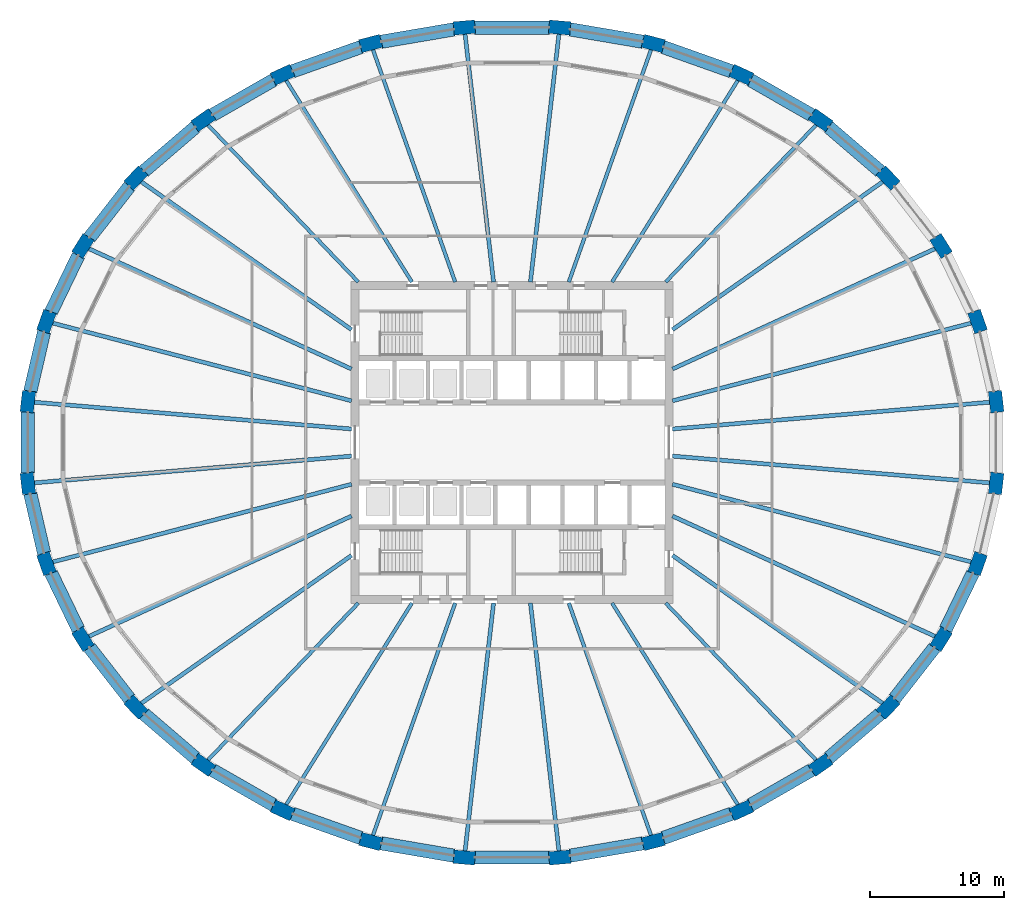
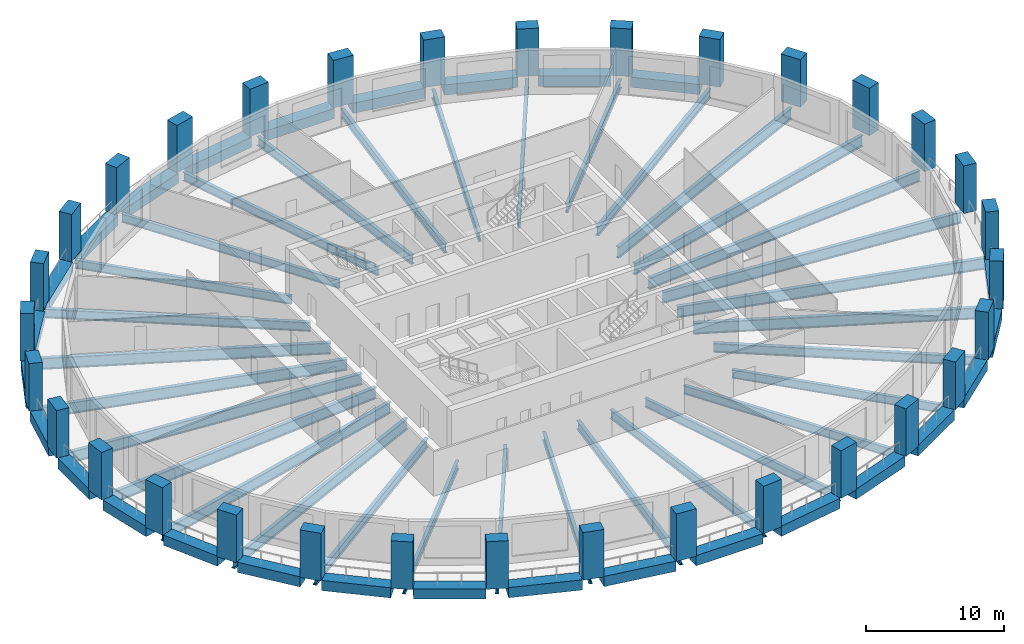
# One storey, part 1 of 10: 59 beams, 32 columns.
"""IFC4 building model written with IfcOpenShell, lengths in metres."""

from ifc_helpers import new_model, si_unit, direction, frame, origin, origin_2d, place, context, subcontext, project, spatial, rectangle, i_section, extrude, material, material_profile, profile_set, type_object, element, save


model = new_model("IFC4")

# Units and contexts
model_context = context("Model", 3, precision=1e-05, world=origin(), true_north=direction((0.0, 1.0)))
body_context = subcontext(model_context, "Body", "Model", "MODEL_VIEW")
ifc_project = project(units=[si_unit("LENGTHUNIT", "METRE"), si_unit("AREAUNIT", "SQUARE_METRE"), si_unit("VOLUMEUNIT", "CUBIC_METRE"), si_unit("PLANEANGLEUNIT", "RADIAN"), si_unit("MASSUNIT", "GRAM", prefix="KILO")], contexts=[model_context])

# Site, building, storey
site_placement = place(None, origin())
site = spatial("IfcSite", under=ifc_project, at=site_placement, CompositionType="ELEMENT")
building_placement = place(site_placement, origin())
building = spatial("IfcBuilding", under=site, at=building_placement, Name="Halqa Exchange Tower", CompositionType="ELEMENT")
storey_placement = place(building_placement, frame((0.0, 0.0, 86.5)))
storey = spatial("IfcBuildingStorey", under=building, at=storey_placement, Name="L19", CompositionType="ELEMENT", Elevation=86.5)

# Columns
ifc_material_1 = material(Name="Concrete C70/85", Category="concrete")
ifc_material_profile_1 = material_profile(ifc_material_1, rectangle(XDim=1.60009765625, YDim=1.0, at=origin_2d()), Name="1600 x 1000")
ifc_profile_set_1 = profile_set([ifc_material_profile_1], Name="Concrete C70/85")
column_type = type_object("IfcColumnType", Name="RC ring column 1600 x 1000 C70/85", PredefinedType="COLUMN", material=ifc_profile_set_1)
for number, where, z_axis, x_axis, name in (
    (1, (36.11474609375, 3.048828125, 0.0), (0.0, 0.0, 1.0), (-0.114156921978, 0.993462730637, 0.0), "Ring column 1"),
    (2, (34.726806640625, 9.029296875, 0.0), (0.0, 0.0, 1.0), (-0.333630814899, 0.942703813162, 0.0), "Ring column 2"),
    (3, (32.00439453125, 14.662841796875, 0.0), (0.0, 0.0, 1.0), (-0.529140496257, 0.848534227489, 0.0), "Ring column 3"),
    (4, (28.05224609375, 19.73291015625, 0.0), (0.0, 0.0, 1.0), (-0.691576091297, 0.722303613411, 0.0), "Ring column 4"),
    (5, (23.021728515625, 24.044677734375, 0.0), (0.0, 0.0, 1.0), (-0.817908788019, 0.57534790734, 0.0), "Ring column 5"),
    (6, (17.106689453125, 27.432373046875, 0.0), (0.0, 0.0, 1.0), (-0.909126368869, 0.416520402174, 0.0), "Ring column 6"),
    (7, (10.5341796875, 29.765869140625, 0.0), (0.0, 0.0, 1.0), (-0.967819942774, 0.251643713153, 0.0), "Ring column 7"),
    (8, (3.556884765625, 30.95556640625, 0.0), (0.0, 0.0, 1.0), (-0.996455518985, 0.084121333105, 0.0), "Ring column 8"),
    (9, (-3.556884765625, 30.95556640625, 0.0), (0.0, 0.0, 1.0), (-0.996455518985, -0.084121333105, 0.0), "Ring column 9"),
    (10, (-10.5341796875, 29.765869140625, 0.0), (0.0, 0.0, 1.0), (-0.967819942774, -0.251643713153, 0.0), "Ring column 10"),
    (11, (-17.106689453125, 27.432373046875, 0.0), (0.0, 0.0, 1.0), (-0.909126368869, -0.416520402174, 0.0), "Ring column 11"),
    (12, (-23.021728515625, 24.044677734375, 0.0), (0.0, 0.0, 1.0), (-0.817908788019, -0.57534790734, 0.0), "Ring column 12"),
    (13, (-28.05224609375, 19.73291015625, 0.0), (0.0, 0.0, 1.0), (-0.691576091297, -0.722303613411, 0.0), "Ring column 13"),
    (14, (-32.00439453125, 14.662841796875, 0.0), (0.0, 0.0, 1.0), (-0.529140496257, -0.848534227489, 0.0), "Ring column 14"),
    (15, (-34.726806640625, 9.029296875, 0.0), (0.0, 0.0, 1.0), (-0.333630814899, -0.942703813162, 0.0), "Ring column 15"),
    (16, (-36.11474609375, 3.048828125, 0.0), (0.0, 0.0, 1.0), (-0.114156921978, -0.993462730637, 0.0), "Ring column 16"),
    (17, (-36.11474609375, -3.048828125, 0.0), (0.0, 0.0, 1.0), (0.114156921978, -0.993462730637, 0.0), "Ring column 17"),
    (18, (-34.726806640625, -9.029296875, 0.0), (0.0, 0.0, 1.0), (0.333630814899, -0.942703813162, 0.0), "Ring column 18"),
    (19, (-32.00439453125, -14.662841796875, 0.0), (0.0, 0.0, 1.0), (0.529140496257, -0.848534227489, 0.0), "Ring column 19"),
    (20, (-28.05224609375, -19.73291015625, 0.0), (0.0, 0.0, 1.0), (0.691576091297, -0.722303613411, 0.0), "Ring column 20"),
    (21, (-23.021728515625, -24.044677734375, 0.0), (0.0, 0.0, 1.0), (0.817908788019, -0.57534790734, 0.0), "Ring column 21"),
    (22, (-17.106689453125, -27.432373046875, 0.0), (0.0, 0.0, 1.0), (0.909126368869, -0.416520402174, 0.0), "Ring column 22"),
    (23, (-10.5341796875, -29.765869140625, 0.0), (0.0, 0.0, 1.0), (0.967819942774, -0.251643713153, 0.0), "Ring column 23"),
    (24, (-3.556884765625, -30.95556640625, 0.0), (0.0, 0.0, 1.0), (0.996455518985, -0.084121333105, 0.0), "Ring column 24"),
    (25, (3.556884765625, -30.95556640625, 0.0), (0.0, 0.0, 1.0), (0.996455518985, 0.084121333105, 0.0), "Ring column 25"),
    (26, (10.5341796875, -29.765869140625, 0.0), (0.0, 0.0, 1.0), (0.967819942774, 0.251643713153, 0.0), "Ring column 26"),
    (27, (17.106689453125, -27.432373046875, 0.0), (0.0, 0.0, 1.0), (0.909126368869, 0.416520402174, 0.0), "Ring column 27"),
    (28, (23.021728515625, -24.044677734375, 0.0), (0.0, 0.0, 1.0), (0.817908788019, 0.57534790734, 0.0), "Ring column 28"),
    (29, (28.05224609375, -19.73291015625, 0.0), (0.0, 0.0, 1.0), (0.691576091297, 0.722303613411, 0.0), "Ring column 29"),
    (30, (32.00439453125, -14.662841796875, 0.0), (0.0, 0.0, 1.0), (0.529140496257, 0.848534227489, 0.0), "Ring column 30"),
    (31, (34.726806640625, -9.029296875, 0.0), (0.0, 0.0, 1.0), (0.333630814899, 0.942703813162, 0.0), "Ring column 31"),
    (32, (36.11474609375, -3.048828125, 0.0), (0.0, 0.0, 1.0), (0.114156921978, 0.993462730637, 0.0), "Ring column 32"),
):
    element("IfcColumn", number, at=place(storey_placement, frame(where, z_axis=z_axis, x_axis=x_axis)), inside=storey, type_object=column_type, Name=name, PredefinedType="COLUMN", context=body_context, shape_type="SweptSolid", body=[
        extrude(rectangle(XDim=1.60009765625, YDim=1.0, at=origin_2d()), origin(), (0.0, 0.0, 1.0), 4.199951171875),
    ])

# Beams
ifc_material_2 = material(Name="Steel S355", Category="steel")
ifc_material_profile_2 = material_profile(ifc_material_2, i_section(OverallWidth=0.300048828125, OverallDepth=0.989990234375, WebThickness=0.0166015625, FlangeThickness=0.031005859375, FilletRadius=0.030029296875, at=origin_2d()), Name="HEA 1000")
ifc_profile_set_2 = profile_set([ifc_material_profile_2], Name="Steel S355")
beam_type_1 = type_object("IfcBeamType", Name="Floor beam HEA 1000", PredefinedType="BEAM", material=ifc_profile_set_2)
beam_1_placement = place(storey_placement, frame((11.972412109375, 1.0107421875, -0.794921875), z_axis=(0.996455472254, 0.084121886657, 0.0), x_axis=(-0.084121886657, 0.996455472254, 0.0)))
element("IfcBeam", 33, at=beam_1_placement, inside=storey, type_object=beam_type_1, Name="Radial beam 1", PredefinedType="BEAM", context=body_context, shape_type="SweptSolid", body=[
    extrude(i_section(OverallWidth=0.300048828125, OverallDepth=0.989990234375, WebThickness=0.0166015625, FlangeThickness=0.031005859375, FilletRadius=0.030029296875, at=origin_2d()), origin(), (0.0, 0.0, 1.0), 23.856201171875),
])
beam_2_placement = place(storey_placement, frame((11.97119140625, 3.11279296875, -0.794921875), z_axis=(0.967821221956, 0.251638793376, 0.0), x_axis=(-0.251638793376, 0.967821221956, 0.0)))
element("IfcBeam", 34, at=beam_2_placement, inside=storey, type_object=beam_type_1, Name="Radial beam 2", PredefinedType="BEAM", context=body_context, shape_type="SweptSolid", body=[
    extrude(i_section(OverallWidth=0.300048828125, OverallDepth=0.989990234375, WebThickness=0.0166015625, FlangeThickness=0.031005859375, FilletRadius=0.030029296875, at=origin_2d()), origin(), (0.0, 0.0, 1.0), 23.138427734375),
])
for number, where, z_axis, x_axis, name in (
    (35, (11.972412109375, 5.485107421875, -0.794921875), (0.909124765465, 0.416523901857, 0.0), (-0.416523901857, 0.909124765465, 0.0), "Radial beam 3"),
    (36, (-11.972412109375, 5.485107421875, -0.794921875), (-0.909124765465, 0.416523901857, 0.0), (-0.416523901857, -0.909124765465, 0.0), "Radial beam 14"),
):
    element("IfcBeam", number, at=place(storey_placement, frame(where, z_axis=z_axis, x_axis=x_axis)), inside=storey, type_object=beam_type_1, Name=name, PredefinedType="BEAM", context=body_context, shape_type="SweptSolid", body=[
        extrude(i_section(OverallWidth=0.300048828125, OverallDepth=0.989990234375, WebThickness=0.0166015625, FlangeThickness=0.031005859375, FilletRadius=0.030029296875, at=origin_2d()), origin(), (0.0, 0.0, 1.0), 21.658447265625),
    ])
beam_3_placement = place(storey_placement, frame((-11.97119140625, 3.11279296875, -0.794921875), z_axis=(-0.967821221956, 0.251638793376, 0.0), x_axis=(-0.251638793376, -0.967821221956, 0.0)))
element("IfcBeam", 37, at=beam_3_placement, inside=storey, type_object=beam_type_1, Name="Radial beam 15", PredefinedType="BEAM", context=body_context, shape_type="SweptSolid", body=[
    extrude(i_section(OverallWidth=0.300048828125, OverallDepth=0.989990234375, WebThickness=0.0166015625, FlangeThickness=0.031005859375, FilletRadius=0.030029296875, at=origin_2d()), origin(), (0.0, 0.0, 1.0), 23.138427734375),
])
for number, where, z_axis, x_axis, name in (
    (38, (-11.972412109375, 1.0107421875, -0.794921875), (-0.996455472254, 0.084121886657, 0.0), (-0.084121886657, -0.996455472254, 0.0), "Radial beam 16"),
    (39, (-11.972412109375, -1.0107421875, -0.794921875), (-0.996455472254, -0.084121886657, 0.0), (0.084121886657, -0.996455472254, 0.0), "Radial beam 17"),
):
    element("IfcBeam", number, at=place(storey_placement, frame(where, z_axis=z_axis, x_axis=x_axis)), inside=storey, type_object=beam_type_1, Name=name, PredefinedType="BEAM", context=body_context, shape_type="SweptSolid", body=[
        extrude(i_section(OverallWidth=0.300048828125, OverallDepth=0.989990234375, WebThickness=0.0166015625, FlangeThickness=0.031005859375, FilletRadius=0.030029296875, at=origin_2d()), origin(), (0.0, 0.0, 1.0), 23.856201171875),
    ])
beam_4_placement = place(storey_placement, frame((-11.97119140625, -3.11279296875, -0.794921875), z_axis=(-0.967821221956, -0.251638793376, 0.0), x_axis=(0.251638793376, -0.967821221956, 0.0)))
element("IfcBeam", 40, at=beam_4_placement, inside=storey, type_object=beam_type_1, Name="Radial beam 18", PredefinedType="BEAM", context=body_context, shape_type="SweptSolid", body=[
    extrude(i_section(OverallWidth=0.300048828125, OverallDepth=0.989990234375, WebThickness=0.0166015625, FlangeThickness=0.031005859375, FilletRadius=0.030029296875, at=origin_2d()), origin(), (0.0, 0.0, 1.0), 23.138427734375),
])
for number, where, z_axis, x_axis, name in (
    (41, (-11.972412109375, -5.485107421875, -0.794921875), (-0.909124765465, -0.416523901857, 0.0), (0.416523901857, -0.909124765465, 0.0), "Radial beam 19"),
    (42, (11.972412109375, -5.485107421875, -0.794921875), (0.909124765465, -0.416523901857, 0.0), (0.416523901857, 0.909124765465, 0.0), "Radial beam 30"),
):
    element("IfcBeam", number, at=place(storey_placement, frame(where, z_axis=z_axis, x_axis=x_axis)), inside=storey, type_object=beam_type_1, Name=name, PredefinedType="BEAM", context=body_context, shape_type="SweptSolid", body=[
        extrude(i_section(OverallWidth=0.300048828125, OverallDepth=0.989990234375, WebThickness=0.0166015625, FlangeThickness=0.031005859375, FilletRadius=0.030029296875, at=origin_2d()), origin(), (0.0, 0.0, 1.0), 21.658447265625),
    ])
beam_5_placement = place(storey_placement, frame((11.97119140625, -3.11279296875, -0.794921875), z_axis=(0.967821221956, -0.251638793376, 0.0), x_axis=(0.251638793376, 0.967821221956, 0.0)))
element("IfcBeam", 43, at=beam_5_placement, inside=storey, type_object=beam_type_1, Name="Radial beam 31", PredefinedType="BEAM", context=body_context, shape_type="SweptSolid", body=[
    extrude(i_section(OverallWidth=0.300048828125, OverallDepth=0.989990234375, WebThickness=0.0166015625, FlangeThickness=0.031005859375, FilletRadius=0.030029296875, at=origin_2d()), origin(), (0.0, 0.0, 1.0), 23.138427734375),
])
beam_6_placement = place(storey_placement, frame((11.972412109375, -1.0107421875, -0.794921875), z_axis=(0.996455472254, -0.084121886657, 0.0), x_axis=(0.084121886657, 0.996455472254, 0.0)))
element("IfcBeam", 44, at=beam_6_placement, inside=storey, type_object=beam_type_1, Name="Radial beam 32", PredefinedType="BEAM", context=body_context, shape_type="SweptSolid", body=[
    extrude(i_section(OverallWidth=0.300048828125, OverallDepth=0.989990234375, WebThickness=0.0166015625, FlangeThickness=0.031005859375, FilletRadius=0.030029296875, at=origin_2d()), origin(), (0.0, 0.0, 1.0), 23.856201171875),
])
ifc_material_profile_3 = material_profile(ifc_material_2, i_section(OverallWidth=0.300048828125, OverallDepth=0.7900390625, WebThickness=0.014892578125, FlangeThickness=0.028076171875, FilletRadius=0.030029296875, at=origin_2d()), Name="HEA 800")
ifc_profile_set_3 = profile_set([ifc_material_profile_3], Name="Steel S355")
beam_type_2 = type_object("IfcBeamType", Name="Floor beam HEA 800", PredefinedType="BEAM", material=ifc_profile_set_3)
for number, where, z_axis, x_axis, name in (
    (45, (1.375732421875, 11.972900390625, -0.695068359375), (0.114150759109, 0.993463438781, 0.0), (-0.993463438781, 0.114150759109, 0.0), "Radial beam 8"),
    (46, (-1.375732421875, 11.972900390625, -0.695068359375), (-0.114150759109, 0.993463438781, 0.0), (-0.993463438781, -0.114150759109, 0.0), "Radial beam 9"),
    (47, (-1.375732421875, -11.972900390625, -0.695068359375), (-0.114150759109, -0.993463438781, 0.0), (0.993463438781, -0.114150759109, 0.0), "Radial beam 24"),
    (48, (1.375732421875, -11.972900390625, -0.695068359375), (0.114150759109, -0.993463438781, 0.0), (0.993463438781, 0.114150759109, 0.0), "Radial beam 25"),
):
    element("IfcBeam", number, at=place(storey_placement, frame(where, z_axis=z_axis, x_axis=x_axis)), inside=storey, type_object=beam_type_2, Name=name, PredefinedType="BEAM", context=body_context, shape_type="SweptSolid", body=[
        extrude(i_section(OverallWidth=0.300048828125, OverallDepth=0.7900390625, WebThickness=0.014892578125, FlangeThickness=0.028076171875, FilletRadius=0.030029296875, at=origin_2d()), origin(), (0.0, 0.0, 1.0), 18.735595703125),
    ])
ifc_material_profile_4 = material_profile(ifc_material_2, i_section(OverallWidth=0.300048828125, OverallDepth=0.800048828125, WebThickness=0.017578125, FlangeThickness=0.032958984375, FilletRadius=0.030029296875, at=origin_2d()), Name="HEB 800")
ifc_profile_set_4 = profile_set([ifc_material_profile_4], Name="Steel S355")
beam_type_3 = type_object("IfcBeamType", Name="Floor beam HEB 800", PredefinedType="BEAM", material=ifc_profile_set_4)
for number, where, z_axis, x_axis, name in (
    (49, (11.972412109375, 8.421875, -0.699951171875), (0.817909909025, 0.575346313727, 0.0), (-0.575346313727, 0.817909909025, 0.0), "Radial beam 4"),
    (50, (-11.972412109375, 8.421875, -0.699951171875), (-0.817909909025, 0.575346313727, 0.0), (-0.575346313727, -0.817909909025, 0.0), "Radial beam 13"),
    (51, (-11.972412109375, -8.421875, -0.699951171875), (-0.817909909025, -0.575346313727, 0.0), (0.575346313727, -0.817909909025, 0.0), "Radial beam 20"),
    (52, (11.972412109375, -8.421875, -0.699951171875), (0.817909909025, -0.575346313727, 0.0), (0.575346313727, 0.817909909025, 0.0), "Radial beam 29"),
):
    element("IfcBeam", number, at=place(storey_placement, frame(where, z_axis=z_axis, x_axis=x_axis)), inside=storey, type_object=beam_type_3, Name=name, PredefinedType="BEAM", context=body_context, shape_type="SweptSolid", body=[
        extrude(i_section(OverallWidth=0.300048828125, OverallDepth=0.800048828125, WebThickness=0.017578125, FlangeThickness=0.032958984375, FilletRadius=0.030029296875, at=origin_2d()), origin(), (0.0, 0.0, 1.0), 19.283447265625),
    ])
ifc_material_profile_5 = material_profile(ifc_material_2, i_section(OverallWidth=0.264892578125, OverallDepth=0.7529296875, WebThickness=0.01318359375, FlangeThickness=0.01708984375, FilletRadius=0.01708984375, at=origin_2d()), Name="IPE 750x147")
ifc_profile_set_5 = profile_set([ifc_material_profile_5], Name="Steel S355")
beam_type_4 = type_object("IfcBeamType", Name="Floor beam IPE 750x147", PredefinedType="BEAM", material=ifc_profile_set_5)
beam_7_placement = place(storey_placement, frame((11.462890625, 11.97216796875, -0.676513671875), z_axis=(0.691570669733, 0.722308804297, 0.0), x_axis=(-0.722308804297, 0.691570669733, 0.0)))
element("IfcBeam", 53, at=beam_7_placement, inside=storey, type_object=beam_type_4, Name="Radial beam 5", PredefinedType="BEAM", context=body_context, shape_type="SweptSolid", body=[
    extrude(i_section(OverallWidth=0.264892578125, OverallDepth=0.7529296875, WebThickness=0.01318359375, FlangeThickness=0.01708984375, FilletRadius=0.01708984375, at=origin_2d()), origin(), (0.0, 0.0, 1.0), 16.337890625),
])
for number, where, z_axis, x_axis, name in (
    (54, (7.466064453125, 11.972412109375, -0.676513671875), (0.529136525929, 0.848536703347, 0.0), (-0.848536703347, 0.529136525929, 0.0), "Radial beam 6"),
    (55, (-7.466064453125, 11.972412109375, -0.676513671875), (-0.529136525929, 0.848536703347, 0.0), (-0.848536703347, -0.529136525929, 0.0), "Radial beam 11"),
):
    element("IfcBeam", number, at=place(storey_placement, frame(where, z_axis=z_axis, x_axis=x_axis)), inside=storey, type_object=beam_type_4, Name=name, PredefinedType="BEAM", context=body_context, shape_type="SweptSolid", body=[
        extrude(i_section(OverallWidth=0.264892578125, OverallDepth=0.7529296875, WebThickness=0.01318359375, FlangeThickness=0.01708984375, FilletRadius=0.01708984375, at=origin_2d()), origin(), (0.0, 0.0, 1.0), 17.843505859375),
    ])
for number, where, z_axis, x_axis, name in (
    (56, (-11.462890625, 11.97216796875, -0.676513671875), (-0.691570669733, 0.722308804297, 0.0), (-0.722308804297, -0.691570669733, 0.0), "Radial beam 12"),
    (57, (-11.462890625, -11.97216796875, -0.676513671875), (-0.691570669733, -0.722308804297, 0.0), (0.722308804297, -0.691570669733, 0.0), "Radial beam 21"),
):
    element("IfcBeam", number, at=place(storey_placement, frame(where, z_axis=z_axis, x_axis=x_axis)), inside=storey, type_object=beam_type_4, Name=name, PredefinedType="BEAM", context=body_context, shape_type="SweptSolid", body=[
        extrude(i_section(OverallWidth=0.264892578125, OverallDepth=0.7529296875, WebThickness=0.01318359375, FlangeThickness=0.01708984375, FilletRadius=0.01708984375, at=origin_2d()), origin(), (0.0, 0.0, 1.0), 16.337890625),
    ])
for number, where, z_axis, x_axis, name in (
    (58, (-7.466064453125, -11.972412109375, -0.676513671875), (-0.529136525929, -0.848536703347, 0.0), (0.848536703347, -0.529136525929, 0.0), "Radial beam 22"),
    (59, (7.466064453125, -11.972412109375, -0.676513671875), (0.529136525929, -0.848536703347, 0.0), (0.848536703347, 0.529136525929, 0.0), "Radial beam 27"),
):
    element("IfcBeam", number, at=place(storey_placement, frame(where, z_axis=z_axis, x_axis=x_axis)), inside=storey, type_object=beam_type_4, Name=name, PredefinedType="BEAM", context=body_context, shape_type="SweptSolid", body=[
        extrude(i_section(OverallWidth=0.264892578125, OverallDepth=0.7529296875, WebThickness=0.01318359375, FlangeThickness=0.01708984375, FilletRadius=0.01708984375, at=origin_2d()), origin(), (0.0, 0.0, 1.0), 17.843505859375),
    ])
beam_8_placement = place(storey_placement, frame((11.462890625, -11.97216796875, -0.676513671875), z_axis=(0.691570669733, -0.722308804297, 0.0), x_axis=(0.722308804297, 0.691570669733, 0.0)))
element("IfcBeam", 60, at=beam_8_placement, inside=storey, type_object=beam_type_4, Name="Radial beam 28", PredefinedType="BEAM", context=body_context, shape_type="SweptSolid", body=[
    extrude(i_section(OverallWidth=0.264892578125, OverallDepth=0.7529296875, WebThickness=0.01318359375, FlangeThickness=0.01708984375, FilletRadius=0.01708984375, at=origin_2d()), origin(), (0.0, 0.0, 1.0), 16.337890625),
])
ifc_material_profile_6 = material_profile(ifc_material_2, i_section(OverallWidth=0.26806640625, OverallDepth=0.77001953125, WebThickness=0.015625, FlangeThickness=0.025390625, FilletRadius=0.01708984375, at=origin_2d()), Name="IPE 750x196")
ifc_profile_set_6 = profile_set([ifc_material_profile_6], Name="Steel S355")
beam_type_5 = type_object("IfcBeamType", Name="Floor beam IPE 750x196", PredefinedType="BEAM", material=ifc_profile_set_6)
for number, where, z_axis, x_axis, name in (
    (61, (4.237060546875, 11.972412109375, -0.68505859375), (0.333624839308, 0.942705927952, 0.0), (-0.942705927952, 0.333624839308, 0.0), "Radial beam 7"),
    (62, (-4.237060546875, 11.972412109375, -0.68505859375), (-0.333624839308, 0.942705927952, 0.0), (-0.942705927952, -0.333624839308, 0.0), "Radial beam 10"),
    (63, (-4.237060546875, -11.972412109375, -0.68505859375), (-0.333624839308, -0.942705927952, 0.0), (0.942705927952, -0.333624839308, 0.0), "Radial beam 23"),
    (64, (4.237060546875, -11.972412109375, -0.68505859375), (0.333624839308, -0.942705927952, 0.0), (0.942705927952, 0.333624839308, 0.0), "Radial beam 26"),
):
    element("IfcBeam", number, at=place(storey_placement, frame(where, z_axis=z_axis, x_axis=x_axis)), inside=storey, type_object=beam_type_5, Name=name, PredefinedType="BEAM", context=body_context, shape_type="SweptSolid", body=[
        extrude(i_section(OverallWidth=0.26806640625, OverallDepth=0.77001953125, WebThickness=0.015625, FlangeThickness=0.025390625, FilletRadius=0.01708984375, at=origin_2d()), origin(), (0.0, 0.0, 1.0), 18.5009765625),
    ])
ifc_material_3 = material(Name="Concrete C60/75", Category="concrete")
ifc_material_profile_7 = material_profile(ifc_material_3, rectangle(XDim=1.0, YDim=0.89990234375, at=origin_2d()), Name="1000 x 900")
ifc_profile_set_7 = profile_set([ifc_material_profile_7], Name="Concrete C60/75")
beam_type_6 = type_object("IfcBeamType", Name="RC spandrel beam 1000 x 900 C60/75", PredefinedType="SPANDREL", material=ifc_profile_set_7)
beam_9_placement = place(storey_placement, frame((27.4638671875, 20.2373046875, -0.449951171875), z_axis=(-0.759287164201, 0.650755716286, 0.0), x_axis=(-0.650755716286, -0.759287164201, 0.0)))
element("IfcBeam", 65, at=beam_9_placement, inside=storey, type_object=beam_type_6, Name="Spandrel 4", PredefinedType="SPANDREL", context=body_context, shape_type="SweptSolid", body=[
    extrude(rectangle(XDim=1.0, YDim=0.89990234375, at=origin_2d()), origin(), (0.0, 0.0, 1.0), 5.074951171875),
])
beam_10_placement = place(storey_placement, frame((22.349609375, 24.4296875, -0.449951171875), z_axis=(-0.867743454254, 0.497012371677, 0.0), x_axis=(-0.497012371677, -0.867743454254, 0.0)))
element("IfcBeam", 66, at=beam_10_placement, inside=storey, type_object=beam_type_6, Name="Spandrel 5", PredefinedType="SPANDREL", context=body_context, shape_type="SweptSolid", body=[
    extrude(rectangle(XDim=1.0, YDim=0.89990234375, at=origin_2d()), origin(), (0.0, 0.0, 1.0), 5.266357421875),
])
beam_11_placement = place(storey_placement, frame((16.376708984375, 27.691650390625, -0.449951171875), z_axis=(-0.942369615116, 0.334573621951, 0.0), x_axis=(-0.334573621951, -0.942369615116, 0.0)))
element("IfcBeam", 67, at=beam_11_placement, inside=storey, type_object=beam_type_6, Name="Spandrel 6", PredefinedType="SPANDREL", context=body_context, shape_type="SweptSolid", body=[
    extrude(rectangle(XDim=1.0, YDim=0.89990234375, at=origin_2d()), origin(), (0.0, 0.0, 1.0), 5.423828125),
])
beam_12_placement = place(storey_placement, frame((9.77001953125, 29.896240234375, -0.449951171875), z_axis=(-0.985777143165, 0.168057799621, 0.0), x_axis=(-0.168057799621, -0.985777143165, 0.0)))
element("IfcBeam", 68, at=beam_12_placement, inside=storey, type_object=beam_type_6, Name="Spandrel 7", PredefinedType="SPANDREL", context=body_context, shape_type="SweptSolid", body=[
    extrude(rectangle(XDim=1.0, YDim=0.89990234375, at=origin_2d()), origin(), (0.0, 0.0, 1.0), 5.527587890625),
])
beam_13_placement = place(storey_placement, frame((2.7822265625, 30.95556640625, -0.449951171875), z_axis=(-1.0, 0.0, 0.0), x_axis=(0.0, -1.0, 0.0)))
element("IfcBeam", 69, at=beam_13_placement, inside=storey, type_object=beam_type_6, Name="Spandrel 8", PredefinedType="SPANDREL", context=body_context, shape_type="SweptSolid", body=[
    extrude(rectangle(XDim=1.0, YDim=0.89990234375, at=origin_2d()), origin(), (0.0, 0.0, 1.0), 5.564453125),
])
beam_14_placement = place(storey_placement, frame((-4.321044921875, 30.8251953125, -0.449951171875), z_axis=(-0.985777143165, -0.168057799621, 0.0), x_axis=(0.168057799621, -0.985777143165, 0.0)))
element("IfcBeam", 70, at=beam_14_placement, inside=storey, type_object=beam_type_6, Name="Spandrel 9", PredefinedType="SPANDREL", context=body_context, shape_type="SweptSolid", body=[
    extrude(rectangle(XDim=1.0, YDim=0.89990234375, at=origin_2d()), origin(), (0.0, 0.0, 1.0), 5.527587890625),
])
beam_15_placement = place(storey_placement, frame((-11.265380859375, 29.50634765625, -0.449951171875), z_axis=(-0.942369615116, -0.334573621951, 0.0), x_axis=(0.334573621951, -0.942369615116, 0.0)))
element("IfcBeam", 71, at=beam_15_placement, inside=storey, type_object=beam_type_6, Name="Spandrel 10", PredefinedType="SPANDREL", context=body_context, shape_type="SweptSolid", body=[
    extrude(rectangle(XDim=1.0, YDim=0.89990234375, at=origin_2d()), origin(), (0.0, 0.0, 1.0), 5.423828125),
])
beam_16_placement = place(storey_placement, frame((-17.77978515625, 27.047119140625, -0.449951171875), z_axis=(-0.867743454254, -0.497012371677, 0.0), x_axis=(0.497012371677, -0.867743454254, 0.0)))
element("IfcBeam", 72, at=beam_16_placement, inside=storey, type_object=beam_type_6, Name="Spandrel 11", PredefinedType="SPANDREL", context=body_context, shape_type="SweptSolid", body=[
    extrude(rectangle(XDim=1.0, YDim=0.89990234375, at=origin_2d()), origin(), (0.0, 0.0, 1.0), 5.266357421875),
])
beam_17_placement = place(storey_placement, frame((-23.610595703125, 23.539794921875, -0.449951171875), z_axis=(-0.759287164201, -0.650755716286, 0.0), x_axis=(0.650755716286, -0.759287164201, 0.0)))
element("IfcBeam", 73, at=beam_17_placement, inside=storey, type_object=beam_type_6, Name="Spandrel 12", PredefinedType="SPANDREL", context=body_context, shape_type="SweptSolid", body=[
    extrude(rectangle(XDim=1.0, YDim=0.89990234375, at=origin_2d()), origin(), (0.0, 0.0, 1.0), 5.074951171875),
])
beam_18_placement = place(storey_placement, frame((-28.529296875, 19.120849609375, -0.449951171875), z_axis=(-0.614817026553, -0.788669781252, 0.0), x_axis=(0.788669781252, -0.614817026553, 0.0)))
element("IfcBeam", 74, at=beam_18_placement, inside=storey, type_object=beam_type_6, Name="Spandrel 13", PredefinedType="SPANDREL", context=body_context, shape_type="SweptSolid", body=[
    extrude(rectangle(XDim=1.0, YDim=0.89990234375, at=origin_2d()), origin(), (0.0, 0.0, 1.0), 4.877197265625),
])
beam_19_placement = place(storey_placement, frame((-32.34228515625, 13.963623046875, -0.449951171875), z_axis=(-0.435149722828, -0.900358105824, 0.0), x_axis=(0.900358105824, -0.435149722828, 0.0)))
element("IfcBeam", 75, at=beam_19_placement, inside=storey, type_object=beam_type_6, Name="Spandrel 14", PredefinedType="SPANDREL", context=body_context, shape_type="SweptSolid", body=[
    extrude(rectangle(XDim=1.0, YDim=0.89990234375, at=origin_2d()), origin(), (0.0, 0.0, 1.0), 4.70263671875),
])
beam_20_placement = place(storey_placement, frame((-34.90234375, 8.273193359375, -0.449951171875), z_axis=(-0.226091821928, -0.974105994262, 0.0), x_axis=(0.974105994262, -0.226091821928, 0.0)))
element("IfcBeam", 76, at=beam_20_placement, inside=storey, type_object=beam_type_6, Name="Spandrel 15", PredefinedType="SPANDREL", context=body_context, shape_type="SweptSolid", body=[
    extrude(rectangle(XDim=1.0, YDim=0.89990234375, at=origin_2d()), origin(), (0.0, 0.0, 1.0), 4.5859375),
])
beam_21_placement = place(storey_placement, frame((-36.11474609375, 2.271484375, -0.449951171875), z_axis=(0.0, -1.0, 0.0), x_axis=(1.0, 0.0, 0.0)))
element("IfcBeam", 77, at=beam_21_placement, inside=storey, type_object=beam_type_6, Name="Spandrel 16", PredefinedType="SPANDREL", context=body_context, shape_type="SweptSolid", body=[
    extrude(rectangle(XDim=1.0, YDim=0.89990234375, at=origin_2d()), origin(), (0.0, 0.0, 1.0), 4.54296875),
])
beam_22_placement = place(storey_placement, frame((-35.939208984375, -3.805908203125, -0.449951171875), z_axis=(0.226091821928, -0.974105994262, 0.0), x_axis=(0.974105994262, 0.226091821928, 0.0)))
element("IfcBeam", 78, at=beam_22_placement, inside=storey, type_object=beam_type_6, Name="Spandrel 17", PredefinedType="SPANDREL", context=body_context, shape_type="SweptSolid", body=[
    extrude(rectangle(XDim=1.0, YDim=0.89990234375, at=origin_2d()), origin(), (0.0, 0.0, 1.0), 4.5859375),
])
beam_23_placement = place(storey_placement, frame((-34.388671875, -9.7294921875, -0.449951171875), z_axis=(0.435149722828, -0.900358105824, 0.0), x_axis=(0.900358105824, 0.435149722828, 0.0)))
element("IfcBeam", 79, at=beam_23_placement, inside=storey, type_object=beam_type_6, Name="Spandrel 18", PredefinedType="SPANDREL", context=body_context, shape_type="SweptSolid", body=[
    extrude(rectangle(XDim=1.0, YDim=0.89990234375, at=origin_2d()), origin(), (0.0, 0.0, 1.0), 4.70263671875),
])
beam_24_placement = place(storey_placement, frame((-31.52783203125, -15.2744140625, -0.449951171875), z_axis=(0.614817026553, -0.788669781252, 0.0), x_axis=(0.788669781252, 0.614817026553, 0.0)))
element("IfcBeam", 80, at=beam_24_placement, inside=storey, type_object=beam_type_6, Name="Spandrel 19", PredefinedType="SPANDREL", context=body_context, shape_type="SweptSolid", body=[
    extrude(rectangle(XDim=1.0, YDim=0.89990234375, at=origin_2d()), origin(), (0.0, 0.0, 1.0), 4.877197265625),
])
beam_25_placement = place(storey_placement, frame((-27.4638671875, -20.2373046875, -0.449951171875), z_axis=(0.759287164201, -0.650755716286, 0.0), x_axis=(0.650755716286, 0.759287164201, 0.0)))
element("IfcBeam", 81, at=beam_25_placement, inside=storey, type_object=beam_type_6, Name="Spandrel 20", PredefinedType="SPANDREL", context=body_context, shape_type="SweptSolid", body=[
    extrude(rectangle(XDim=1.0, YDim=0.89990234375, at=origin_2d()), origin(), (0.0, 0.0, 1.0), 5.074951171875),
])
beam_26_placement = place(storey_placement, frame((-22.349609375, -24.4296875, -0.449951171875), z_axis=(0.867743454254, -0.497012371677, 0.0), x_axis=(0.497012371677, 0.867743454254, 0.0)))
element("IfcBeam", 82, at=beam_26_placement, inside=storey, type_object=beam_type_6, Name="Spandrel 21", PredefinedType="SPANDREL", context=body_context, shape_type="SweptSolid", body=[
    extrude(rectangle(XDim=1.0, YDim=0.89990234375, at=origin_2d()), origin(), (0.0, 0.0, 1.0), 5.266357421875),
])
beam_27_placement = place(storey_placement, frame((-16.376708984375, -27.691650390625, -0.449951171875), z_axis=(0.942369615116, -0.334573621951, 0.0), x_axis=(0.334573621951, 0.942369615116, 0.0)))
element("IfcBeam", 83, at=beam_27_placement, inside=storey, type_object=beam_type_6, Name="Spandrel 22", PredefinedType="SPANDREL", context=body_context, shape_type="SweptSolid", body=[
    extrude(rectangle(XDim=1.0, YDim=0.89990234375, at=origin_2d()), origin(), (0.0, 0.0, 1.0), 5.423828125),
])
beam_28_placement = place(storey_placement, frame((-9.77001953125, -29.896240234375, -0.449951171875), z_axis=(0.985777143165, -0.168057799621, 0.0), x_axis=(0.168057799621, 0.985777143165, 0.0)))
element("IfcBeam", 84, at=beam_28_placement, inside=storey, type_object=beam_type_6, Name="Spandrel 23", PredefinedType="SPANDREL", context=body_context, shape_type="SweptSolid", body=[
    extrude(rectangle(XDim=1.0, YDim=0.89990234375, at=origin_2d()), origin(), (0.0, 0.0, 1.0), 5.527587890625),
])
beam_29_placement = place(storey_placement, frame((-2.7822265625, -30.95556640625, -0.449951171875), z_axis=(1.0, 0.0, 0.0), x_axis=(0.0, 1.0, 0.0)))
element("IfcBeam", 85, at=beam_29_placement, inside=storey, type_object=beam_type_6, Name="Spandrel 24", PredefinedType="SPANDREL", context=body_context, shape_type="SweptSolid", body=[
    extrude(rectangle(XDim=1.0, YDim=0.89990234375, at=origin_2d()), origin(), (0.0, 0.0, 1.0), 5.564453125),
])
beam_30_placement = place(storey_placement, frame((4.321044921875, -30.8251953125, -0.449951171875), z_axis=(0.985777143165, 0.168057799621, 0.0), x_axis=(-0.168057799621, 0.985777143165, 0.0)))
element("IfcBeam", 86, at=beam_30_placement, inside=storey, type_object=beam_type_6, Name="Spandrel 25", PredefinedType="SPANDREL", context=body_context, shape_type="SweptSolid", body=[
    extrude(rectangle(XDim=1.0, YDim=0.89990234375, at=origin_2d()), origin(), (0.0, 0.0, 1.0), 5.527587890625),
])
beam_31_placement = place(storey_placement, frame((11.265380859375, -29.50634765625, -0.449951171875), z_axis=(0.942369615116, 0.334573621951, 0.0), x_axis=(-0.334573621951, 0.942369615116, 0.0)))
element("IfcBeam", 87, at=beam_31_placement, inside=storey, type_object=beam_type_6, Name="Spandrel 26", PredefinedType="SPANDREL", context=body_context, shape_type="SweptSolid", body=[
    extrude(rectangle(XDim=1.0, YDim=0.89990234375, at=origin_2d()), origin(), (0.0, 0.0, 1.0), 5.423828125),
])
beam_32_placement = place(storey_placement, frame((17.77978515625, -27.047119140625, -0.449951171875), z_axis=(0.867743454254, 0.497012371677, 0.0), x_axis=(-0.497012371677, 0.867743454254, 0.0)))
element("IfcBeam", 88, at=beam_32_placement, inside=storey, type_object=beam_type_6, Name="Spandrel 27", PredefinedType="SPANDREL", context=body_context, shape_type="SweptSolid", body=[
    extrude(rectangle(XDim=1.0, YDim=0.89990234375, at=origin_2d()), origin(), (0.0, 0.0, 1.0), 5.266357421875),
])
beam_33_placement = place(storey_placement, frame((23.610595703125, -23.539794921875, -0.449951171875), z_axis=(0.759287164201, 0.650755716286, 0.0), x_axis=(-0.650755716286, 0.759287164201, 0.0)))
element("IfcBeam", 89, at=beam_33_placement, inside=storey, type_object=beam_type_6, Name="Spandrel 28", PredefinedType="SPANDREL", context=body_context, shape_type="SweptSolid", body=[
    extrude(rectangle(XDim=1.0, YDim=0.89990234375, at=origin_2d()), origin(), (0.0, 0.0, 1.0), 5.074951171875),
])
beam_34_placement = place(storey_placement, frame((28.529296875, -19.120849609375, -0.449951171875), z_axis=(0.614817026553, 0.788669781252, 0.0), x_axis=(-0.788669781252, 0.614817026553, 0.0)))
element("IfcBeam", 90, at=beam_34_placement, inside=storey, type_object=beam_type_6, Name="Spandrel 29", PredefinedType="SPANDREL", context=body_context, shape_type="SweptSolid", body=[
    extrude(rectangle(XDim=1.0, YDim=0.89990234375, at=origin_2d()), origin(), (0.0, 0.0, 1.0), 4.877197265625),
])
beam_35_placement = place(storey_placement, frame((32.34228515625, -13.963623046875, -0.449951171875), z_axis=(0.435149722828, 0.900358105824, 0.0), x_axis=(-0.900358105824, 0.435149722828, 0.0)))
element("IfcBeam", 91, at=beam_35_placement, inside=storey, type_object=beam_type_6, Name="Spandrel 30", PredefinedType="SPANDREL", context=body_context, shape_type="SweptSolid", body=[
    extrude(rectangle(XDim=1.0, YDim=0.89990234375, at=origin_2d()), origin(), (0.0, 0.0, 1.0), 4.70263671875),
])

save(model, "model.ifc")
